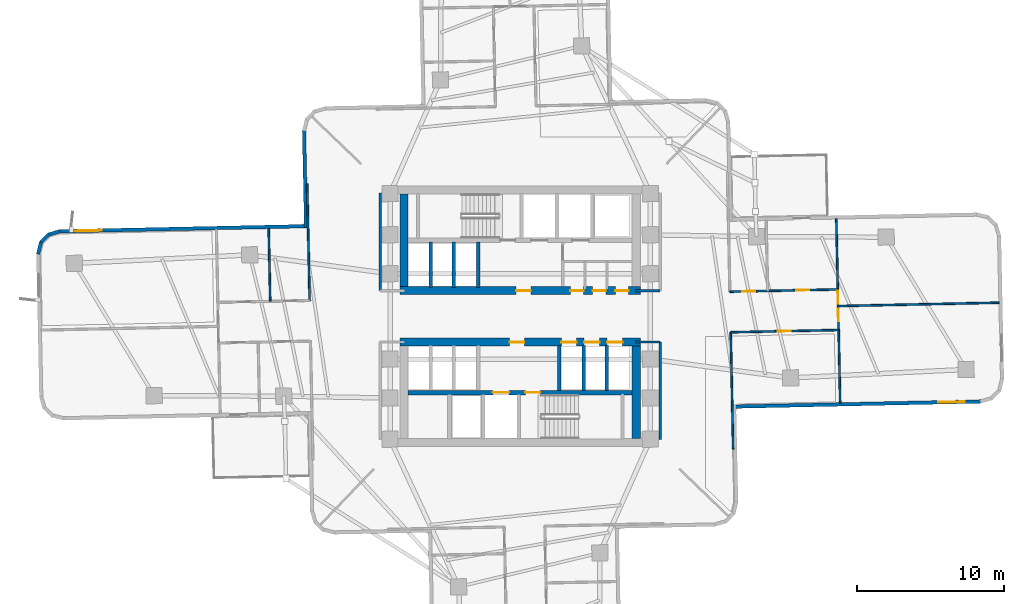
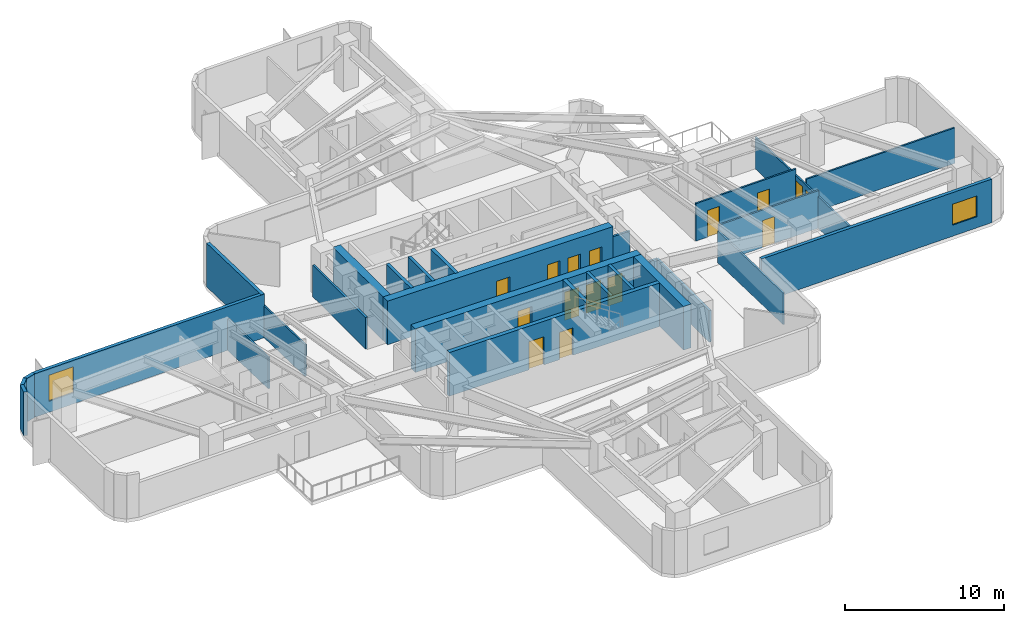
# One storey, part 4 of 10: 28 walls, 15 doors, 2 windows, 17 openings.
"""IFC4 building model written with IfcOpenShell, lengths in metres."""

from ifc_helpers import new_model, si_unit, direction, frame, frame_2d, origin, place, context, subcontext, project, spatial, rectangle, extrude, material, layer, layer_set, type_object, element, fill, save


model = new_model("IFC4")

# Units and contexts
model_context = context("Model", 3, precision=1e-05, world=origin(), true_north=direction((0.0, 1.0)))
body_context = subcontext(model_context, "Body", "Model", "MODEL_VIEW")
ifc_project = project(units=[si_unit("LENGTHUNIT", "METRE"), si_unit("AREAUNIT", "SQUARE_METRE"), si_unit("VOLUMEUNIT", "CUBIC_METRE"), si_unit("PLANEANGLEUNIT", "RADIAN"), si_unit("MASSUNIT", "GRAM", prefix="KILO")], contexts=[model_context])

# Site, building, storey
site_placement = place(None, origin())
site = spatial("IfcSite", under=ifc_project, at=site_placement, CompositionType="ELEMENT")
building_placement = place(site_placement, origin())
building = spatial("IfcBuilding", under=site, at=building_placement, Name="Solmarez Civic Tower", CompositionType="ELEMENT")
storey_placement = place(building_placement, frame((0.0, 0.0, 35.280029296875)))
storey = spatial("IfcBuildingStorey", under=building, at=storey_placement, Name="L08", CompositionType="ELEMENT", Elevation=35.280029296875)

# Wall, openings, doors
ifc_material_1 = material(Name="Concrete C60/75", Category="concrete")
ifc_layer_1 = layer(ifc_material_1, 0.550048828125)
ifc_layer_set_1 = layer_set([ifc_layer_1], Name="Concrete C60/75")
wall_type_1 = type_object("IfcWallType", Name="WALL-CORE-550", PredefinedType="SHEAR", material=ifc_layer_set_1)
wall_1_placement = place(storey_placement, frame((8.169921875, 1.75, 0.0), z_axis=(0.0, 0.0, 1.0), x_axis=(-1.0, 0.0, 0.0)))
wall_1 = element("IfcWall", 1, at=wall_1_placement, inside=storey, type_object=wall_type_1, Name="L08 Split-Core Structural Wall NCW-S-L08", PredefinedType="SHEAR", context=body_context, shape_type="SweptSolid", body=[
    extrude(rectangle(XDim=16.33984375, YDim=0.550048828125, at=frame_2d((8.169921875, 0.0))), origin(), (0.0, 0.0, 1.0), 3.340087890625),
])
opening_1_placement = place(wall_1_placement, frame((7.449951171875, 0.0, 0.0)))
opening_1 = element("IfcOpeningElement", 2, at=opening_1_placement, cuts=wall_1, Name="Opening D-04", PredefinedType="OPENING", context=body_context, shape_type="SweptSolid", body=[
    extrude(rectangle(XDim=1.0, YDim=2.10009765625, at=frame_2d((0.5, 1.050048828125))), frame((0.0, 0.284912109375, 0.0), z_axis=(0.0, -1.0, 0.0), x_axis=(1.0, 0.0, 0.0)), (0.0, 0.0, 1.0), 0.570068359375),
])
opening_2_placement = place(wall_1_placement, frame((3.85009765625, 0.0, 0.0)))
opening_2 = element("IfcOpeningElement", 3, at=opening_2_placement, cuts=wall_1, Name="Opening D-09", PredefinedType="OPENING", context=body_context, shape_type="SweptSolid", body=[
    extrude(rectangle(XDim=0.89990234375, YDim=2.06005859375, at=frame_2d((0.449951171875, 1.030029296875))), frame((0.0, 0.284912109375, 0.0), z_axis=(0.0, -1.0, 0.0), x_axis=(1.0, 0.0, 0.0)), (0.0, 0.0, 1.0), 0.570068359375),
])
opening_3_placement = place(wall_1_placement, frame((2.35009765625, 0.0, 0.0)))
opening_3 = element("IfcOpeningElement", 4, at=opening_3_placement, cuts=wall_1, Name="Opening D-09", PredefinedType="OPENING", context=body_context, shape_type="SweptSolid", body=[
    extrude(rectangle(XDim=0.89990234375, YDim=2.06005859375, at=frame_2d((0.449951171875, 1.030029296875))), frame((0.0, 0.284912109375, 0.0), z_axis=(0.0, -1.0, 0.0), x_axis=(1.0, 0.0, 0.0)), (0.0, 0.0, 1.0), 0.570068359375),
])
opening_4_placement = place(wall_1_placement, frame((0.800048828125, 0.0, 0.0)))
opening_4 = element("IfcOpeningElement", 5, at=opening_4_placement, cuts=wall_1, Name="Opening D-09", PredefinedType="OPENING", context=body_context, shape_type="SweptSolid", body=[
    extrude(rectangle(XDim=0.89990234375, YDim=2.06005859375, at=frame_2d((0.449951171875, 1.030029296875))), frame((0.0, 0.284912109375, 0.0), z_axis=(0.0, -1.0, 0.0), x_axis=(1.0, 0.0, 0.0)), (0.0, 0.0, 1.0), 0.570068359375),
])
ifc_material_2 = material(Name="Steel-Faced Acoustic Fire Door", Category="steel")
door_type_1 = type_object("IfcDoorType", Name="DOOR-FD60-1000", OperationType="NOTDEFINED", PredefinedType="DOOR", material=ifc_material_2)
door_1_placement = place(opening_1_placement, origin())
door_1 = element("IfcDoor", 6, at=door_1_placement, inside=storey, type_object=door_type_1, Name="L08 North Firefighting Lobby Door", OperationType="SINGLE_SWING_LEFT", OverallHeight=2.10009765625, OverallWidth=1.0, PredefinedType="DOOR", context=body_context, shape_type="SweptSolid", body=[
    extrude(rectangle(XDim=1.0, YDim=2.10009765625, at=frame_2d((0.5, 1.050048828125))), frame((0.0, 0.02490234375, 0.0), z_axis=(0.0, -1.0, 0.0), x_axis=(1.0, 0.0, 0.0)), (0.0, 0.0, 1.0), 0.050048828125),
])
fill(opening_1, door_1)
ifc_material_3 = material(Name="Fire-Rated Service Core Door", Category="wood")
door_type_2 = type_object("IfcDoorType", Name="DOOR-FD60-900", OperationType="NOTDEFINED", PredefinedType="DOOR", material=ifc_material_3)
door_2_placement = place(opening_2_placement, origin())
door_2 = element("IfcDoor", 7, at=door_2_placement, inside=storey, type_object=door_type_2, Name="L08 Core WC Door", OperationType="SINGLE_SWING_RIGHT", OverallHeight=2.06005859375, OverallWidth=0.89990234375, PredefinedType="DOOR", context=body_context, shape_type="SweptSolid", body=[
    extrude(rectangle(XDim=0.89990234375, YDim=2.06005859375, at=frame_2d((0.449951171875, 1.030029296875))), frame((0.0, 0.02490234375, 0.0), z_axis=(0.0, -1.0, 0.0), x_axis=(1.0, 0.0, 0.0)), (0.0, 0.0, 1.0), 0.050048828125),
])
fill(opening_2, door_2)
door_3_placement = place(opening_3_placement, origin())
door_3 = element("IfcDoor", 8, at=door_3_placement, inside=storey, type_object=door_type_2, Name="L08 Core CL Door", OperationType="SINGLE_SWING_LEFT", OverallHeight=2.06005859375, OverallWidth=0.89990234375, PredefinedType="DOOR", context=body_context, shape_type="SweptSolid", body=[
    extrude(rectangle(XDim=0.89990234375, YDim=2.06005859375, at=frame_2d((0.449951171875, 1.030029296875))), frame((0.0, 0.02490234375, 0.0), z_axis=(0.0, -1.0, 0.0), x_axis=(1.0, 0.0, 0.0)), (0.0, 0.0, 1.0), 0.050048828125),
])
fill(opening_3, door_3)
door_4_placement = place(opening_4_placement, origin())
door_4 = element("IfcDoor", 9, at=door_4_placement, inside=storey, type_object=door_type_2, Name="L08 Core IT Door", OperationType="SINGLE_SWING_LEFT", OverallHeight=2.06005859375, OverallWidth=0.89990234375, PredefinedType="DOOR", context=body_context, shape_type="SweptSolid", body=[
    extrude(rectangle(XDim=0.89990234375, YDim=2.06005859375, at=frame_2d((0.449951171875, 1.030029296875))), frame((0.0, 0.02490234375, 0.0), z_axis=(0.0, -1.0, 0.0), x_axis=(1.0, 0.0, 0.0)), (0.0, 0.0, 1.0), 0.050048828125),
])
fill(opening_4, door_4)

# Wall
wall_2_placement = place(storey_placement, frame((-7.89501953125, 2.02490234375, 0.0), z_axis=(0.0, 0.0, 1.0), x_axis=(0.0, 1.0, 0.0)))
element("IfcWall", 10, at=wall_2_placement, inside=storey, type_object=wall_type_1, Name="L08 Split-Core Structural Wall NCW-W-L08", PredefinedType="SHEAR", context=body_context, shape_type="SweptSolid", body=[
    extrude(rectangle(XDim=6.28515625, YDim=0.550048828125, at=frame_2d((3.142578125, 0.0))), origin(), (0.0, 0.0, 1.0), 3.340087890625),
])

# Wall, openings, doors
wall_3_placement = place(storey_placement, frame((-8.169921875, -1.75, 0.0), z_axis=(0.0, 0.0, 1.0), x_axis=(1.0, 0.0, 0.0)))
wall_3 = element("IfcWall", 11, at=wall_3_placement, inside=storey, type_object=wall_type_1, Name="L08 Split-Core Structural Wall SCW-N-L08", PredefinedType="SHEAR", context=body_context, shape_type="SweptSolid", body=[
    extrude(rectangle(XDim=16.33984375, YDim=0.550048828125, at=frame_2d((8.169921875, 0.0))), origin(), (0.0, 0.0, 1.0), 3.340087890625),
])
opening_5_placement = place(wall_3_placement, frame((7.449951171875, 0.0, 0.0)))
opening_5 = element("IfcOpeningElement", 12, at=opening_5_placement, cuts=wall_3, Name="Opening D-04", PredefinedType="OPENING", context=body_context, shape_type="SweptSolid", body=[
    extrude(rectangle(XDim=1.0, YDim=2.10009765625, at=frame_2d((0.5, 1.050048828125))), frame((0.0, 0.284912109375, 0.0), z_axis=(0.0, -1.0, 0.0), x_axis=(1.0, 0.0, 0.0)), (0.0, 0.0, 1.0), 0.570068359375),
])
opening_6_placement = place(wall_3_placement, frame((10.965087890625, 0.0, 0.0)))
opening_6 = element("IfcOpeningElement", 13, at=opening_6_placement, cuts=wall_3, Name="Opening LD-01", PredefinedType="OPENING", context=body_context, shape_type="SweptSolid", body=[
    extrude(rectangle(XDim=1.050048828125, YDim=2.14990234375, at=frame_2d((0.52490234375, 1.074951171875))), frame((0.0, 0.284912109375, 0.0), z_axis=(0.0, -1.0, 0.0), x_axis=(1.0, 0.0, 0.0)), (0.0, 0.0, 1.0), 0.570068359375),
])
opening_7_placement = place(wall_3_placement, frame((12.52490234375, 0.0, 0.0)))
opening_7 = element("IfcOpeningElement", 14, at=opening_7_placement, cuts=wall_3, Name="Opening LD-01", PredefinedType="OPENING", context=body_context, shape_type="SweptSolid", body=[
    extrude(rectangle(XDim=1.050048828125, YDim=2.14990234375, at=frame_2d((0.52490234375, 1.074951171875))), frame((0.0, 0.284912109375, 0.0), z_axis=(0.0, -1.0, 0.0), x_axis=(1.0, 0.0, 0.0)), (0.0, 0.0, 1.0), 0.570068359375),
])
opening_8_placement = place(wall_3_placement, frame((14.0849609375, 0.0, 0.0)))
opening_8 = element("IfcOpeningElement", 15, at=opening_8_placement, cuts=wall_3, Name="Opening LD-01", PredefinedType="OPENING", context=body_context, shape_type="SweptSolid", body=[
    extrude(rectangle(XDim=1.050048828125, YDim=2.14990234375, at=frame_2d((0.52490234375, 1.074951171875))), frame((0.0, 0.284912109375, 0.0), z_axis=(0.0, -1.0, 0.0), x_axis=(1.0, 0.0, 0.0)), (0.0, 0.0, 1.0), 0.570068359375),
])
door_5_placement = place(opening_5_placement, origin())
door_5 = element("IfcDoor", 16, at=door_5_placement, inside=storey, type_object=door_type_1, Name="L08 South Firefighting Lobby Door", OperationType="SINGLE_SWING_RIGHT", OverallHeight=2.10009765625, OverallWidth=1.0, PredefinedType="DOOR", context=body_context, shape_type="SweptSolid", body=[
    extrude(rectangle(XDim=1.0, YDim=2.10009765625, at=frame_2d((0.5, 1.050048828125))), frame((0.0, 0.02490234375, 0.0), z_axis=(0.0, -1.0, 0.0), x_axis=(1.0, 0.0, 0.0)), (0.0, 0.0, 1.0), 0.050048828125),
])
fill(opening_5, door_5)
ifc_material_4 = material(Name="Bronze Passenger Lift Landing Sliding Door", Category="aluminium")
door_type_3 = type_object("IfcDoorType", Name="DOOR-LD-PAX-1050", OperationType="DOUBLE_DOOR_SLIDING", PredefinedType="DOOR", material=ifc_material_4)
door_6_placement = place(opening_6_placement, origin())
door_6 = element("IfcDoor", 17, at=door_6_placement, inside=storey, type_object=door_type_3, Name="L08 Low-Rise Lift Landing Door PL-L1", OperationType="DOUBLE_DOOR_SLIDING", OverallHeight=2.14990234375, OverallWidth=1.050048828125, PredefinedType="DOOR", context=body_context, shape_type="SweptSolid", body=[
    extrude(rectangle(XDim=1.050048828125, YDim=2.14990234375, at=frame_2d((0.52490234375, 1.074951171875))), frame((0.0, 0.02490234375, 0.0), z_axis=(0.0, -1.0, 0.0), x_axis=(1.0, 0.0, 0.0)), (0.0, 0.0, 1.0), 0.050048828125),
])
fill(opening_6, door_6)
door_7_placement = place(opening_7_placement, origin())
door_7 = element("IfcDoor", 18, at=door_7_placement, inside=storey, type_object=door_type_3, Name="L08 Low-Rise Lift Landing Door PL-L2", OperationType="DOUBLE_DOOR_SLIDING", OverallHeight=2.14990234375, OverallWidth=1.050048828125, PredefinedType="DOOR", context=body_context, shape_type="SweptSolid", body=[
    extrude(rectangle(XDim=1.050048828125, YDim=2.14990234375, at=frame_2d((0.52490234375, 1.074951171875))), frame((0.0, 0.02490234375, 0.0), z_axis=(0.0, -1.0, 0.0), x_axis=(1.0, 0.0, 0.0)), (0.0, 0.0, 1.0), 0.050048828125),
])
fill(opening_7, door_7)
door_8_placement = place(opening_8_placement, origin())
door_8 = element("IfcDoor", 19, at=door_8_placement, inside=storey, type_object=door_type_3, Name="L08 Low-Rise Lift Landing Door PL-L3", OperationType="DOUBLE_DOOR_SLIDING", OverallHeight=2.14990234375, OverallWidth=1.050048828125, PredefinedType="DOOR", context=body_context, shape_type="SweptSolid", body=[
    extrude(rectangle(XDim=1.050048828125, YDim=2.14990234375, at=frame_2d((0.52490234375, 1.074951171875))), frame((0.0, 0.02490234375, 0.0), z_axis=(0.0, -1.0, 0.0), x_axis=(1.0, 0.0, 0.0)), (0.0, 0.0, 1.0), 0.050048828125),
])
fill(opening_8, door_8)

# Walls
wall_4_placement = place(storey_placement, frame((7.89501953125, -2.02490234375, 0.0), z_axis=(0.0, 0.0, 1.0), x_axis=(0.0, -1.0, 0.0)))
element("IfcWall", 20, at=wall_4_placement, inside=storey, type_object=wall_type_1, Name="L08 Split-Core Structural Wall SCW-E-L08", PredefinedType="SHEAR", context=body_context, shape_type="SweptSolid", body=[
    extrude(rectangle(XDim=6.28515625, YDim=0.550048828125, at=frame_2d((3.142578125, 0.0))), origin(), (0.0, 0.0, 1.0), 3.340087890625),
])
ifc_material_5 = material(Name="Precast concrete C40/50", Category="concrete")
ifc_layer_2 = layer(ifc_material_5, 0.239990234375)
ifc_layer_set_2 = layer_set([ifc_layer_2], Name="Precast concrete C40/50")
wall_type_2 = type_object("IfcWallType", Name="WALL-EXT-240", PredefinedType="SOLIDWALL", material=ifc_layer_set_2)
wall_5_placement = place(storey_placement, frame((-32.781982421875, 4.235107421875, 0.0), z_axis=(0.0, 0.0, 1.0), x_axis=(0.238860968489, 0.971053776952, 0.0)))
element("IfcWall", 21, at=wall_5_placement, inside=storey, type_object=wall_type_2, Name="L08 Exterior Precast Wall 7", PredefinedType="SOLIDWALL", context=body_context, shape_type="SweptSolid", body=[
    extrude(rectangle(XDim=0.828857421875, YDim=0.239990234375, at=frame_2d((0.41455078125, 0.0))), origin(), (0.0, 0.0, 1.0), 3.340087890625),
])
wall_6_placement = place(storey_placement, frame((-32.60693359375, 4.998046875, 0.0), z_axis=(0.0, 0.0, 1.0), x_axis=(0.691018151037, 0.722837405602, 0.0)))
element("IfcWall", 22, at=wall_6_placement, inside=storey, type_object=wall_type_2, Name="L08 Exterior Precast Wall 8", PredefinedType="SOLIDWALL", context=body_context, shape_type="SweptSolid", body=[
    extrude(rectangle(XDim=0.813232421875, YDim=0.239990234375, at=frame_2d((0.40673828125, 0.0))), origin(), (0.0, 0.0, 1.0), 3.340087890625),
])
wall_7_placement = place(storey_placement, frame((-32.0859375, 5.56103515625, 0.0), z_axis=(0.0, 0.0, 1.0), x_axis=(0.960249728562, 0.279142362954, 0.0)))
element("IfcWall", 23, at=wall_7_placement, inside=storey, type_object=wall_type_2, Name="L08 Exterior Precast Wall 9", PredefinedType="SOLIDWALL", context=body_context, shape_type="SweptSolid", body=[
    extrude(rectangle(XDim=0.830810546875, YDim=0.239990234375, at=frame_2d((0.41552734375, 0.0))), origin(), (0.0, 0.0, 1.0), 3.340087890625),
])

# Wall, opening, window
wall_8_placement = place(storey_placement, frame((-31.3369140625, 5.784912109375, 0.0), z_axis=(0.0, 0.0, 1.0), x_axis=(0.999779951425, 0.020977338469, 0.0)))
wall_8 = element("IfcWall", 24, at=wall_8_placement, inside=storey, type_object=wall_type_2, Name="L08 Exterior Precast Wall 10", PredefinedType="SOLIDWALL", context=body_context, shape_type="SweptSolid", body=[
    extrude(rectangle(XDim=16.87548828125, YDim=0.239990234375, at=frame_2d((8.437744140625, 0.0))), origin(), (0.0, 0.0, 1.0), 3.340087890625),
])
opening_9_placement = place(wall_8_placement, frame((1.10009765625, 0.0, 0.85009765625)))
opening_9 = element("IfcOpeningElement", 25, at=opening_9_placement, cuts=wall_8, Name="Opening W-04", PredefinedType="OPENING", context=body_context, shape_type="SweptSolid", body=[
    extrude(rectangle(XDim=1.800048828125, YDim=2.0, at=frame_2d((0.89990234375, 1.0))), frame((0.0, 0.1298828125, 0.0), z_axis=(0.0, -1.0, 0.0), x_axis=(1.0, 0.0, 0.0)), (0.0, 0.0, 1.0), 0.260009765625),
])
ifc_material_6 = material(Name="Solar Control Bronze-Tinted Insulating Glass", Category="glass")
window_type_1 = type_object("IfcWindowType", Name="WIN-1800X2000", PartitioningType="SINGLE_PANEL", PredefinedType="WINDOW", material=ifc_material_6)
window_1_placement = place(opening_9_placement, origin())
window_1 = element("IfcWindow", 26, at=window_1_placement, inside=storey, type_object=window_type_1, Name="L08 Exterior Facade Window 10", OverallHeight=2.0, OverallWidth=1.800048828125, PartitioningType="SINGLE_PANEL", PredefinedType="WINDOW", context=body_context, shape_type="SweptSolid", body=[
    extrude(rectangle(XDim=1.800048828125, YDim=2.0, at=frame_2d((0.89990234375, 1.0))), frame((0.0, 0.030029296875, 0.0), z_axis=(0.0, -1.0, 0.0), x_axis=(1.0, 0.0, 0.0)), (0.0, 0.0, 1.0), 0.06005859375),
])
fill(opening_9, window_1)

# Wall
wall_9_placement = place(storey_placement, frame((-14.55908203125, 6.041015625, 0.0), z_axis=(0.0, 0.0, 1.0), x_axis=(-0.021149327571, 0.999776327957, 0.0)))
element("IfcWall", 27, at=wall_9_placement, inside=storey, type_object=wall_type_2, Name="L08 Exterior Precast Wall 13", PredefinedType="SOLIDWALL", context=body_context, shape_type="SweptSolid", body=[
    extrude(rectangle(XDim=6.614501953125, YDim=0.239990234375, at=frame_2d((3.30712890625, 0.0))), origin(), (0.0, 0.0, 1.0), 3.340087890625),
])

# Wall, opening, window
wall_10_placement = place(storey_placement, frame((31.3369140625, -5.784912109375, 0.0), z_axis=(0.0, 0.0, 1.0), x_axis=(-0.999779951425, -0.020977338469, 0.0)))
wall_10 = element("IfcWall", 28, at=wall_10_placement, inside=storey, type_object=wall_type_2, Name="L08 Exterior Precast Wall 46", PredefinedType="SOLIDWALL", context=body_context, shape_type="SweptSolid", body=[
    extrude(rectangle(XDim=16.87548828125, YDim=0.239990234375, at=frame_2d((8.437744140625, 0.0))), origin(), (0.0, 0.0, 1.0), 3.340087890625),
])
opening_10_placement = place(wall_10_placement, frame((1.10009765625, 0.0, 0.85009765625)))
opening_10 = element("IfcOpeningElement", 29, at=opening_10_placement, cuts=wall_10, Name="Opening W-12", PredefinedType="OPENING", context=body_context, shape_type="SweptSolid", body=[
    extrude(rectangle(XDim=1.800048828125, YDim=1.60009765625, at=frame_2d((0.89990234375, 0.800048828125))), frame((0.0, 0.1298828125, 0.0), z_axis=(0.0, -1.0, 0.0), x_axis=(1.0, 0.0, 0.0)), (0.0, 0.0, 1.0), 0.260009765625),
])
window_type_2 = type_object("IfcWindowType", Name="WIN-1800X1600", PartitioningType="SINGLE_PANEL", PredefinedType="WINDOW", material=ifc_material_6)
window_2_placement = place(opening_10_placement, origin())
window_2 = element("IfcWindow", 30, at=window_2_placement, inside=storey, type_object=window_type_2, Name="L08 Exterior Facade Window 46", OverallHeight=1.60009765625, OverallWidth=1.800048828125, PartitioningType="SINGLE_PANEL", PredefinedType="WINDOW", context=body_context, shape_type="SweptSolid", body=[
    extrude(rectangle(XDim=1.800048828125, YDim=1.60009765625, at=frame_2d((0.89990234375, 0.800048828125))), frame((0.0, 0.030029296875, 0.0), z_axis=(0.0, -1.0, 0.0), x_axis=(1.0, 0.0, 0.0)), (0.0, 0.0, 1.0), 0.06005859375),
])
fill(opening_10, window_2)

# Walls
ifc_material_7 = material(Name="Gypsum Board Acoustic Steel-Stud Partition", Category="steel")
ifc_layer_3 = layer(ifc_material_7, 0.14990234375)
ifc_layer_set_3 = layer_set([ifc_layer_3], Name="Gypsum Board Acoustic Steel-Stud Partition")
wall_type_3 = type_object("IfcWallType", Name="WALL-INT-FIRE-150", PredefinedType="PARTITIONING", material=ifc_layer_set_3)
wall_11_placement = place(storey_placement, frame((-9.52001953125, 1.75, 0.0), z_axis=(0.0, 0.0, 1.0), x_axis=(0.0, 1.0, 0.0)))
element("IfcWall", 31, at=wall_11_placement, inside=storey, type_object=wall_type_3, Name="L08 Interior Partition CHW-L08-WN1", PredefinedType="PARTITIONING", context=body_context, shape_type="SweptSolid", body=[
    extrude(rectangle(XDim=6.6298828125, YDim=0.14990234375, at=frame_2d((3.31494140625, 0.0))), origin(), (0.0, 0.0, 1.0), 2.4208984375),
])
wall_12_placement = place(storey_placement, frame((7.85009765625, 1.75, 0.0), z_axis=(0.0, 0.0, 1.0), x_axis=(1.0, 0.0, 0.0)))
element("IfcWall", 32, at=wall_12_placement, inside=storey, type_object=wall_type_3, Name="L08 Interior Partition CHW-L08-EN3", PredefinedType="PARTITIONING", context=body_context, shape_type="SweptSolid", body=[
    extrude(rectangle(XDim=1.669921875, YDim=0.14990234375, at=frame_2d((0.8349609375, 0.0))), origin(), (0.0, 0.0, 1.0), 2.405029296875),
])
wall_13_placement = place(storey_placement, frame((9.52001953125, -8.3798828125, 0.0), z_axis=(0.0, 0.0, 1.0), x_axis=(0.0, 1.0, 0.0)))
element("IfcWall", 33, at=wall_13_placement, inside=storey, type_object=wall_type_3, Name="L08 Interior Partition CHW-L08-ES1", PredefinedType="PARTITIONING", context=body_context, shape_type="SweptSolid", body=[
    extrude(rectangle(XDim=6.6298828125, YDim=0.14990234375, at=frame_2d((3.31494140625, 0.0))), origin(), (0.0, 0.0, 1.0), 2.4208984375),
])
wall_14_placement = place(storey_placement, frame((7.85009765625, -1.75, 0.0), z_axis=(0.0, 0.0, 1.0), x_axis=(1.0, 0.0, 0.0)))
element("IfcWall", 34, at=wall_14_placement, inside=storey, type_object=wall_type_3, Name="L08 Interior Partition CHW-L08-ES3", PredefinedType="PARTITIONING", context=body_context, shape_type="SweptSolid", body=[
    extrude(rectangle(XDim=1.669921875, YDim=0.14990234375, at=frame_2d((0.8349609375, 0.0))), origin(), (0.0, 0.0, 1.0), 2.405029296875),
])
ifc_layer_4 = layer(ifc_material_7, 0.1201171875)
ifc_layer_set_4 = layer_set([ifc_layer_4], Name="Gypsum Board Acoustic Steel-Stud Partition")
wall_type_4 = type_object("IfcWallType", Name="WALL-INT-PART-120", PredefinedType="PARTITIONING", material=ifc_layer_set_4)
wall_15_placement = place(storey_placement, frame((14.48193359375, -9.01806640625, 0.0), z_axis=(0.0, 0.0, 1.0), x_axis=(-0.020883173321, 0.999781922757, 0.0)))
element("IfcWall", 35, at=wall_15_placement, inside=storey, type_object=wall_type_4, Name="L08 Interior Partition PT-L08-E-EFR", PredefinedType="PARTITIONING", context=body_context, shape_type="SweptSolid", body=[
    extrude(rectangle(XDim=7.94970703125, YDim=0.1201171875, at=frame_2d((3.974853515625, 0.0))), origin(), (0.0, 0.0, 1.0), 2.4208984375),
])

# Wall, openings, doors
wall_16_placement = place(storey_placement, frame((21.595947265625, 1.8330078125, 0.0), z_axis=(0.0, 0.0, 1.0), x_axis=(-0.999779695776, -0.020989519165, 0.0)))
wall_16 = element("IfcWall", 36, at=wall_16_placement, inside=storey, type_object=wall_type_4, Name="L08 Interior Partition PT-L08-E-SL", PredefinedType="PARTITIONING", context=body_context, shape_type="SweptSolid", body=[
    extrude(rectangle(XDim=7.339599609375, YDim=0.1201171875, at=frame_2d((3.669921875, 0.0))), origin(), (0.0, 0.0, 1.0), 2.868896484375),
])
opening_11_placement = place(wall_16_placement, frame((5.625, 0.0, 0.0)))
opening_11 = element("IfcOpeningElement", 37, at=opening_11_placement, cuts=wall_16, Name="Opening D-14", PredefinedType="OPENING", context=body_context, shape_type="SweptSolid", body=[
    extrude(rectangle(XDim=0.860107421875, YDim=2.0400390625, at=frame_2d((0.43017578125, 1.02001953125))), frame((0.0, 0.070068359375, 0.0), z_axis=(0.0, -1.0, 0.0), x_axis=(1.0, 0.0, 0.0)), (0.0, 0.0, 1.0), 0.14013671875),
])
opening_12_placement = place(wall_16_placement, frame((1.955078125, 0.0, 0.0)))
opening_12 = element("IfcOpeningElement", 38, at=opening_12_placement, cuts=wall_16, Name="Opening D-14", PredefinedType="OPENING", context=body_context, shape_type="SweptSolid", body=[
    extrude(rectangle(XDim=0.860107421875, YDim=2.0400390625, at=frame_2d((0.43017578125, 1.02001953125))), frame((0.0, 0.070068359375, 0.0), z_axis=(0.0, -1.0, 0.0), x_axis=(1.0, 0.0, 0.0)), (0.0, 0.0, 1.0), 0.14013671875),
])
ifc_material_8 = material(Name="Timber Storage and Pantry Door", Category="wood")
door_type_4 = type_object("IfcDoorType", Name="DOOR-INT-850", OperationType="NOTDEFINED", PredefinedType="DOOR", material=ifc_material_8)
door_9_placement = place(opening_11_placement, origin())
door_9 = element("IfcDoor", 39, at=door_9_placement, inside=storey, type_object=door_type_4, Name="L08 Legislative Seminar Room First East Door", OperationType="SINGLE_SWING_LEFT", OverallHeight=2.0400390625, OverallWidth=0.860107421875, PredefinedType="DOOR", context=body_context, shape_type="SweptSolid", body=[
    extrude(rectangle(XDim=0.860107421875, YDim=2.0400390625, at=frame_2d((0.43017578125, 1.02001953125))), frame((0.0, 0.02490234375, 0.0), z_axis=(0.0, -1.0, 0.0), x_axis=(1.0, 0.0, 0.0)), (0.0, 0.0, 1.0), 0.050048828125),
])
fill(opening_11, door_9)
door_10_placement = place(opening_12_placement, origin())
door_10 = element("IfcDoor", 40, at=door_10_placement, inside=storey, type_object=door_type_4, Name="L08 Civic Training Classroom Second East Door", OperationType="SINGLE_SWING_RIGHT", OverallHeight=2.0400390625, OverallWidth=0.860107421875, PredefinedType="DOOR", context=body_context, shape_type="SweptSolid", body=[
    extrude(rectangle(XDim=0.860107421875, YDim=2.0400390625, at=frame_2d((0.43017578125, 1.02001953125))), frame((0.0, 0.02490234375, 0.0), z_axis=(0.0, -1.0, 0.0), x_axis=(1.0, 0.0, 0.0)), (0.0, 0.0, 1.0), 0.050048828125),
])
fill(opening_12, door_10)

# Wall, opening, door
wall_17_placement = place(storey_placement, frame((14.31591796875, -1.080078125, 0.0), z_axis=(0.0, 0.0, 1.0), x_axis=(0.999782493564, 0.020855828042, 0.0)))
wall_17 = element("IfcWall", 41, at=wall_17_placement, inside=storey, type_object=wall_type_4, Name="L08 Interior Partition PT-L08-E-SR", PredefinedType="PARTITIONING", context=body_context, shape_type="SweptSolid", body=[
    extrude(rectangle(XDim=7.33984375, YDim=0.1201171875, at=frame_2d((3.669921875, 0.0))), origin(), (0.0, 0.0, 1.0), 2.868896484375),
])
opening_13_placement = place(wall_17_placement, frame((3.18994140625, 0.0, 0.0)))
opening_13 = element("IfcOpeningElement", 42, at=opening_13_placement, cuts=wall_17, Name="Opening D-08", PredefinedType="OPENING", context=body_context, shape_type="SweptSolid", body=[
    extrude(rectangle(XDim=0.89990234375, YDim=2.06005859375, at=frame_2d((0.449951171875, 1.030029296875))), frame((0.0, 0.070068359375, 0.0), z_axis=(0.0, -1.0, 0.0), x_axis=(1.0, 0.0, 0.0)), (0.0, 0.0, 1.0), 0.14013671875),
])
ifc_material_9 = material(Name="Solid-Core Timber Office Door", Category="wood")
door_type_5 = type_object("IfcDoorType", Name="DOOR-INT-900", OperationType="NOTDEFINED", PredefinedType="DOOR", material=ifc_material_9)
door_11_placement = place(opening_13_placement, origin())
door_11 = element("IfcDoor", 43, at=door_11_placement, inside=storey, type_object=door_type_5, Name="L08 Delegates Sitting Lounge Third East Door", OperationType="SINGLE_SWING_RIGHT", OverallHeight=2.06005859375, OverallWidth=0.89990234375, PredefinedType="DOOR", context=body_context, shape_type="SweptSolid", body=[
    extrude(rectangle(XDim=0.89990234375, YDim=2.06005859375, at=frame_2d((0.449951171875, 1.030029296875))), frame((0.0, 0.02490234375, 0.0), z_axis=(0.0, -1.0, 0.0), x_axis=(1.0, 0.0, 0.0)), (0.0, 0.0, 1.0), 0.050048828125),
])
fill(opening_13, door_11)

# Wall
wall_18_placement = place(storey_placement, frame((21.679931640625, 0.7041015625, 0.0), z_axis=(0.0, 0.0, 1.0), x_axis=(0.999781840983, 0.02088708788, 0.0)))
element("IfcWall", 44, at=wall_18_placement, inside=storey, type_object=wall_type_4, Name="L08 Interior Partition PT-L08-E-TM", PredefinedType="PARTITIONING", context=body_context, shape_type="SweptSolid", body=[
    extrude(rectangle(XDim=10.905517578125, YDim=0.1201171875, at=frame_2d((5.45263671875, 0.0))), origin(), (0.0, 0.0, 1.0), 2.719970703125),
])

# Wall, openings, doors
wall_19_placement = place(storey_placement, frame((21.4951171875, 6.64697265625, 0.0), z_axis=(0.0, 0.0, 1.0), x_axis=(0.021028114531, -0.999778884754, 0.0)))
wall_19 = element("IfcWall", 45, at=wall_19_placement, inside=storey, type_object=wall_type_4, Name="L08 Interior Partition PT-L08-E-END", PredefinedType="PARTITIONING", context=body_context, shape_type="SweptSolid", body=[
    extrude(rectangle(XDim=12.550537109375, YDim=0.1201171875, at=frame_2d((6.275390625, 0.0))), origin(), (0.0, 0.0, 1.0), 2.4208984375),
])
opening_14_placement = place(wall_19_placement, frame((6.114990234375, 0.0, 0.0)))
opening_14 = element("IfcOpeningElement", 46, at=opening_14_placement, cuts=wall_19, Name="Opening D-14", PredefinedType="OPENING", context=body_context, shape_type="SweptSolid", body=[
    extrude(rectangle(XDim=0.860107421875, YDim=2.0400390625, at=frame_2d((0.43017578125, 1.02001953125))), frame((0.0, 0.070068359375, 0.0), z_axis=(0.0, -1.0, 0.0), x_axis=(1.0, 0.0, 0.0)), (0.0, 0.0, 1.0), 0.14013671875),
])
opening_15_placement = place(wall_19_placement, frame((4.9150390625, 0.0, 0.0)))
opening_15 = element("IfcOpeningElement", 47, at=opening_15_placement, cuts=wall_19, Name="Opening D-14", PredefinedType="OPENING", context=body_context, shape_type="SweptSolid", body=[
    extrude(rectangle(XDim=0.860107421875, YDim=2.0400390625, at=frame_2d((0.43017578125, 1.02001953125))), frame((0.0, 0.070068359375, 0.0), z_axis=(0.0, -1.0, 0.0), x_axis=(1.0, 0.0, 0.0)), (0.0, 0.0, 1.0), 0.14013671875),
])
door_12_placement = place(opening_14_placement, origin())
door_12 = element("IfcDoor", 48, at=door_12_placement, inside=storey, type_object=door_type_4, Name="L08 Public Reception Room Sixth East Door", OperationType="SINGLE_SWING_RIGHT", OverallHeight=2.0400390625, OverallWidth=0.860107421875, PredefinedType="DOOR", context=body_context, shape_type="SweptSolid", body=[
    extrude(rectangle(XDim=0.860107421875, YDim=2.0400390625, at=frame_2d((0.43017578125, 1.02001953125))), frame((0.0, 0.02490234375, 0.0), z_axis=(0.0, -1.0, 0.0), x_axis=(1.0, 0.0, 0.0)), (0.0, 0.0, 1.0), 0.050048828125),
])
fill(opening_14, door_12)
door_13_placement = place(opening_15_placement, origin())
door_13 = element("IfcDoor", 49, at=door_13_placement, inside=storey, type_object=door_type_4, Name="L08 Delegates Sitting Lounge Fifth East Door", OperationType="SINGLE_SWING_LEFT", OverallHeight=2.0400390625, OverallWidth=0.860107421875, PredefinedType="DOOR", context=body_context, shape_type="SweptSolid", body=[
    extrude(rectangle(XDim=0.860107421875, YDim=2.0400390625, at=frame_2d((0.43017578125, 1.02001953125))), frame((0.0, 0.02490234375, 0.0), z_axis=(0.0, -1.0, 0.0), x_axis=(1.0, 0.0, 0.0)), (0.0, 0.0, 1.0), 0.050048828125),
])
fill(opening_15, door_13)

# Walls
wall_20_placement = place(storey_placement, frame((-14.48193359375, 9.01806640625, 0.0), z_axis=(0.0, 0.0, 1.0), x_axis=(0.020883173321, -0.999781922757, 0.0)))
element("IfcWall", 50, at=wall_20_placement, inside=storey, type_object=wall_type_4, Name="L08 Interior Partition PT-L08-W-EFR", PredefinedType="PARTITIONING", context=body_context, shape_type="SweptSolid", body=[
    extrude(rectangle(XDim=7.94970703125, YDim=0.1201171875, at=frame_2d((3.974853515625, 0.0))), origin(), (0.0, 0.0, 1.0), 2.4208984375),
])
wall_21_placement = place(storey_placement, frame((-17.09912109375, 5.998046875, 0.0), z_axis=(0.0, 0.0, 1.0), x_axis=(0.02079187731, -0.999783825553, 0.0)))
element("IfcWall", 51, at=wall_21_placement, inside=storey, type_object=wall_type_4, Name="L08 Interior Partition PT-L08-W-RM", PredefinedType="PARTITIONING", context=body_context, shape_type="SweptSolid", body=[
    extrude(rectangle(XDim=4.955078125, YDim=0.1201171875, at=frame_2d((2.4775390625, 0.0))), origin(), (0.0, 0.0, 1.0), 2.4208984375),
])

# Wall, openings, doors
ifc_material_10 = material(Name="Concrete C50/60", Category="concrete")
ifc_layer_5 = layer(ifc_material_10, 0.300048828125)
ifc_layer_set_5 = layer_set([ifc_layer_5], Name="Concrete C50/60")
wall_type_5 = type_object("IfcWallType", Name="WALL-STR-300", PredefinedType="SOLIDWALL", material=ifc_layer_set_5)
wall_22_placement = place(storey_placement, frame((-7.6201171875, -5.179931640625, 0.0), z_axis=(0.0, 0.0, 1.0), x_axis=(1.0, 0.0, 0.0)))
wall_22 = element("IfcWall", 52, at=wall_22_placement, inside=storey, type_object=wall_type_5, Name="L08 Split-Core Structural Wall SCW-M-L08", PredefinedType="SOLIDWALL", context=body_context, shape_type="SweptSolid", body=[
    extrude(rectangle(XDim=15.240234375, YDim=0.300048828125, at=frame_2d((7.6201171875, 0.0))), origin(), (0.0, 0.0, 1.0), 3.340087890625),
])
opening_16_placement = place(wall_22_placement, frame((5.77001953125, 0.0, 0.0)))
opening_16 = element("IfcOpeningElement", 53, at=opening_16_placement, cuts=wall_22, Name="Opening LD-02", PredefinedType="OPENING", context=body_context, shape_type="SweptSolid", body=[
    extrude(rectangle(XDim=1.10009765625, YDim=2.14990234375, at=frame_2d((0.550048828125, 1.074951171875))), frame((0.0, 0.159912109375, 0.0), z_axis=(0.0, -1.0, 0.0), x_axis=(1.0, 0.0, 0.0)), (0.0, 0.0, 1.0), 0.320068359375),
])
opening_17_placement = place(wall_22_placement, frame((7.969970703125, 0.0, 0.0)))
opening_17 = element("IfcOpeningElement", 54, at=opening_17_placement, cuts=wall_22, Name="Opening D-05", PredefinedType="OPENING", context=body_context, shape_type="SweptSolid", body=[
    extrude(rectangle(XDim=1.0, YDim=2.10009765625, at=frame_2d((0.5, 1.050048828125))), frame((0.0, 0.159912109375, 0.0), z_axis=(0.0, -1.0, 0.0), x_axis=(1.0, 0.0, 0.0)), (0.0, 0.0, 1.0), 0.320068359375),
])
ifc_material_11 = material(Name="Fire-Rated Stairwell Exit Door", Category="wood")
door_type_6 = type_object("IfcDoorType", Name="DOOR-FD90-1000", OperationType="NOTDEFINED", PredefinedType="DOOR", material=ifc_material_11)
door_14_placement = place(opening_17_placement, origin())
door_14 = element("IfcDoor", 55, at=door_14_placement, inside=storey, type_object=door_type_6, Name="L08 South Exit Stair Door ST-2", OperationType="SINGLE_SWING_RIGHT", OverallHeight=2.10009765625, OverallWidth=1.0, PredefinedType="DOOR", context=body_context, shape_type="SweptSolid", body=[
    extrude(rectangle(XDim=1.0, YDim=2.10009765625, at=frame_2d((0.5, 1.050048828125))), frame((0.0, 0.02490234375, 0.0), z_axis=(0.0, -1.0, 0.0), x_axis=(1.0, 0.0, 0.0)), (0.0, 0.0, 1.0), 0.050048828125),
])
fill(opening_17, door_14)
ifc_material_12 = material(Name="Stainless Firefighting Lift Landing Sliding Door", Category="aluminium")
door_type_7 = type_object("IfcDoorType", Name="DOOR-LD-FF-1100", OperationType="DOUBLE_DOOR_SLIDING", PredefinedType="DOOR", material=ifc_material_12)
door_15_placement = place(opening_16_placement, origin())
door_15 = element("IfcDoor", 56, at=door_15_placement, inside=storey, type_object=door_type_7, Name="L08 Firefighting Lift Landing Door FFL-2", OperationType="DOUBLE_DOOR_SLIDING", OverallHeight=2.14990234375, OverallWidth=1.10009765625, PredefinedType="DOOR", context=body_context, shape_type="SweptSolid", body=[
    extrude(rectangle(XDim=1.10009765625, YDim=2.14990234375, at=frame_2d((0.550048828125, 1.074951171875))), frame((0.0, 0.02490234375, 0.0), z_axis=(0.0, -1.0, 0.0), x_axis=(1.0, 0.0, 0.0)), (0.0, 0.0, 1.0), 0.050048828125),
])
fill(opening_16, door_15)

# Walls
for number, where, z_axis, x_axis, name in (
    (57, (-2.85009765625, 1.97998046875, 0.0), (0.0, 0.0, 1.0), (0.0, 1.0, 0.0), "L08 Split-Core Structural Wall SHW-NL1-L08"),
    (58, (2.64990234375, -5.050048828125, 0.0), (0.0, 0.0, 1.0), (0.0, 1.0, 0.0), "L08 Split-Core Structural Wall SHW-SL2-L08"),
):
    element("IfcWall", number, at=place(storey_placement, frame(where, z_axis=z_axis, x_axis=x_axis)), inside=storey, type_object=wall_type_5, Name=name, PredefinedType="SOLIDWALL", context=body_context, shape_type="SweptSolid", body=[
        extrude(rectangle(XDim=3.070068359375, YDim=0.25, at=frame_2d((1.53515625, 0.0))), origin(), (0.0, 0.0, 1.0), 3.340087890625),
    ])
for number, where, z_axis, x_axis, name in (
    (59, (-6.080078125, 1.97998046875, 0.0), (0.0, 0.0, 1.0), (0.0, 1.0, 0.0), "L08 Split-Core Structural Wall SHW-PLH-L08-1"),
    (60, (-4.52001953125, 1.97998046875, 0.0), (0.0, 0.0, 1.0), (0.0, 1.0, 0.0), "L08 Split-Core Structural Wall SHW-PLH-L08-2"),
    (61, (4.320068359375, -5.050048828125, 0.0), (0.0, 0.0, 1.0), (0.0, 1.0, 0.0), "L08 Split-Core Structural Wall SHW-PLL-L08-1"),
    (62, (5.8798828125, -5.050048828125, 0.0), (0.0, 0.0, 1.0), (0.0, 1.0, 0.0), "L08 Split-Core Structural Wall SHW-PLL-L08-2"),
):
    element("IfcWall", number, at=place(storey_placement, frame(where, z_axis=z_axis, x_axis=x_axis)), inside=storey, type_object=wall_type_5, Name=name, PredefinedType="SOLIDWALL", context=body_context, shape_type="SweptSolid", body=[
        extrude(rectangle(XDim=3.070068359375, YDim=0.219970703125, at=frame_2d((1.53515625, 0.0))), origin(), (0.0, 0.0, 1.0), 3.340087890625),
    ])

save(model, "model.ifc")
